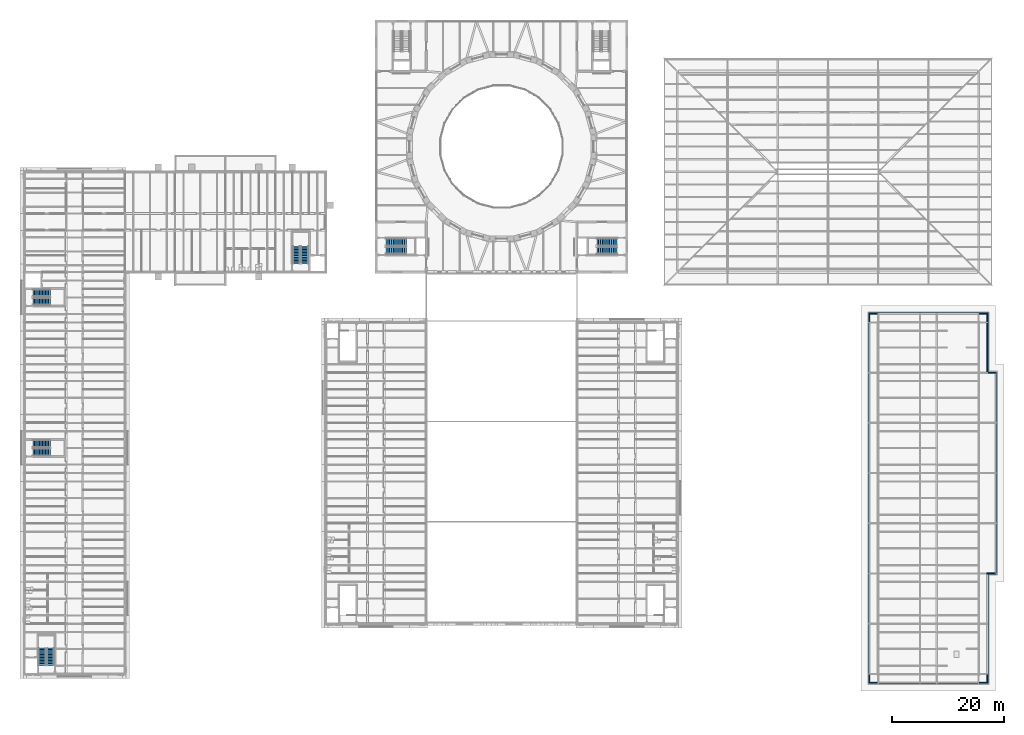
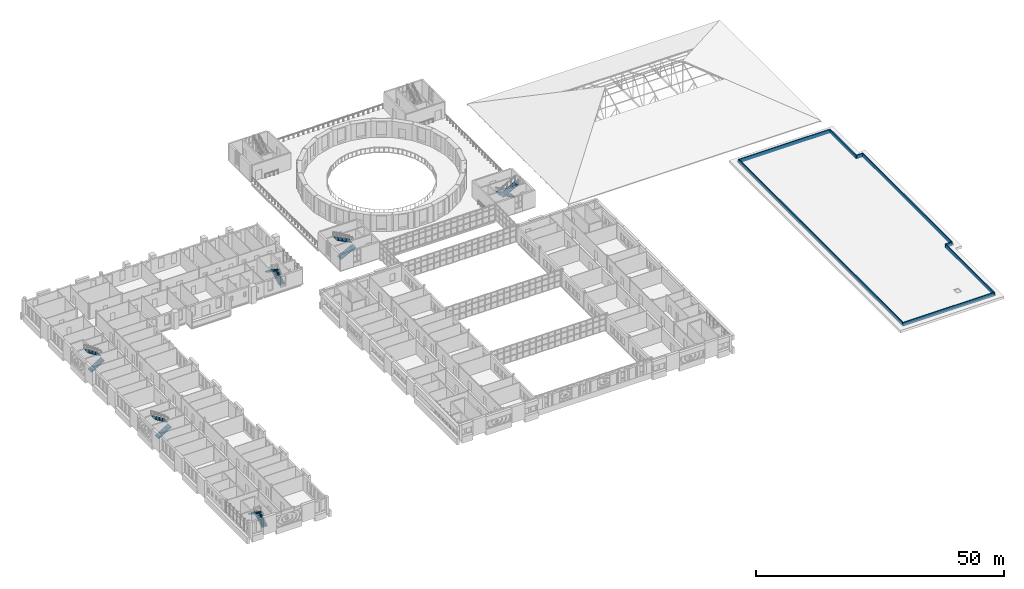
# One storey, part 117 of 154: 12 stair flights, 8 walls, 6 elements without a shape of their own.
"""IFC4 building model written with IfcOpenShell, lengths in metres."""

from ifc_helpers import new_model, si_unit, direction, frame, frame_2d, origin, place, context, subcontext, project, spatial, polyline, rectangle, outline, extrude, material, layer, layer_set, type_object, element, aggregate, save


model = new_model("IFC4")

# Units and contexts
model_context = context("Model", 3, precision=1e-05, world=origin(), true_north=direction((0.0, 1.0)))
body_context = subcontext(model_context, "Body", "Model", "MODEL_VIEW")
ifc_project = project(units=[si_unit("LENGTHUNIT", "METRE"), si_unit("AREAUNIT", "SQUARE_METRE"), si_unit("VOLUMEUNIT", "CUBIC_METRE"), si_unit("PLANEANGLEUNIT", "RADIAN"), si_unit("MASSUNIT", "GRAM", prefix="KILO")], contexts=[model_context])

# Site, building, storey
site_placement = place(None, origin())
site = spatial("IfcSite", under=ifc_project, at=site_placement, CompositionType="ELEMENT")
building_placement = place(site_placement, origin())
building = spatial("IfcBuilding", under=site, at=building_placement, Name="Golden Quay Civic Hall", CompositionType="ELEMENT")
storey_placement = place(building_placement, frame((0.0, 0.0, 14.39990234375)))
storey = spatial("IfcBuildingStorey", under=building, at=storey_placement, Name="L03", CompositionType="ELEMENT", Elevation=14.39990234375)

# Walls
ifc_material_1 = material(Name="Brick, dark clay facing", Category="masonry")
ifc_layer = layer(ifc_material_1, 0.199951171875)
ifc_layer_set = layer_set([ifc_layer], Name="Parapet 200 x 900")
wall_type = type_object("IfcWallType", Name="Parapet 200 x 900", PredefinedType="PARAPET", material=ifc_layer_set)
wall_1_placement = place(storey_placement, frame((172.5, -10.60009765625, 0.0), z_axis=(0.0, 0.0, 1.0), x_axis=(-1.0, 0.0, 0.0)))
element("IfcWall", 1, at=wall_1_placement, inside=storey, type_object=wall_type, Name="Parapet 200 x 900 L03 1", PredefinedType="PARAPET", context=body_context, shape_type="SweptSolid", body=[
    extrude(rectangle(XDim=21.199951171875, YDim=0.199951171875, at=frame_2d((10.60009765625, 0.0))), origin(), (0.0, 0.0, 1.0), 0.900146484375),
])
wall_2_placement = place(storey_placement, frame((151.39990234375, -10.5, 0.0), z_axis=(0.0, 0.0, 1.0), x_axis=(0.0, 1.0, 0.0)))
element("IfcWall", 2, at=wall_2_placement, inside=storey, type_object=wall_type, Name="Parapet 200 x 900 L03 2", PredefinedType="PARAPET", context=body_context, shape_type="SweptSolid", body=[
    extrude(rectangle(XDim=66.199951171875, YDim=0.199951171875, at=frame_2d((33.10009765625, 0.0))), origin(), (0.0, 0.0, 1.0), 0.900146484375),
])
wall_3_placement = place(storey_placement, frame((151.5, 55.60009765625, 0.0), z_axis=(0.0, 0.0, 1.0), x_axis=(1.0, 0.0, 0.0)))
element("IfcWall", 3, at=wall_3_placement, inside=storey, type_object=wall_type, Name="Parapet 200 x 900 L03 3", PredefinedType="PARAPET", context=body_context, shape_type="SweptSolid", body=[
    extrude(rectangle(XDim=21.199951171875, YDim=0.199951171875, at=frame_2d((10.60009765625, 0.0))), origin(), (0.0, 0.0, 1.0), 0.900146484375),
])
wall_4_placement = place(storey_placement, frame((172.60009765625, 55.5, 0.0), z_axis=(0.0, 0.0, 1.0), x_axis=(0.0, -1.0, 0.0)))
element("IfcWall", 4, at=wall_4_placement, inside=storey, type_object=wall_type, Name="Parapet 200 x 900 L03 4", PredefinedType="PARAPET", context=body_context, shape_type="SweptSolid", body=[
    extrude(rectangle(XDim=10.60009765625, YDim=0.199951171875, at=frame_2d((5.300048828125, 0.0))), origin(), (0.0, 0.0, 1.0), 0.900146484375),
])
wall_5_placement = place(storey_placement, frame((172.699951171875, 45.0, 0.0), z_axis=(0.0, 0.0, 1.0), x_axis=(1.0, 0.0, 0.0)))
element("IfcWall", 5, at=wall_5_placement, inside=storey, type_object=wall_type, Name="Parapet 200 x 900 L03 5", PredefinedType="PARAPET", context=body_context, shape_type="SweptSolid", body=[
    extrude(rectangle(XDim=1.5, YDim=0.199951171875, at=frame_2d((0.75, 0.0))), origin(), (0.0, 0.0, 1.0), 0.900146484375),
])
wall_6_placement = place(storey_placement, frame((174.10009765625, 44.89990234375, 0.0), z_axis=(0.0, 0.0, 1.0), x_axis=(0.0, -1.0, 0.0)))
element("IfcWall", 6, at=wall_6_placement, inside=storey, type_object=wall_type, Name="Parapet 200 x 900 L03 6", PredefinedType="PARAPET", context=body_context, shape_type="SweptSolid", body=[
    extrude(rectangle(XDim=36.0, YDim=0.199951171875, at=frame_2d((18.0, 0.0))), origin(), (0.0, 0.0, 1.0), 0.900146484375),
])
wall_7_placement = place(storey_placement, frame((174.0, 9.0, 0.0), z_axis=(0.0, 0.0, 1.0), x_axis=(-1.0, 0.0, 0.0)))
element("IfcWall", 7, at=wall_7_placement, inside=storey, type_object=wall_type, Name="Parapet 200 x 900 L03 7", PredefinedType="PARAPET", context=body_context, shape_type="SweptSolid", body=[
    extrude(rectangle(XDim=1.5, YDim=0.199951171875, at=frame_2d((0.75, 0.0))), origin(), (0.0, 0.0, 1.0), 0.900146484375),
])
wall_8_placement = place(storey_placement, frame((172.60009765625, 8.89990234375, 0.0), z_axis=(0.0, 0.0, 1.0), x_axis=(0.0, -1.0, 0.0)))
element("IfcWall", 8, at=wall_8_placement, inside=storey, type_object=wall_type, Name="Parapet 200 x 900 L03 8", PredefinedType="PARAPET", context=body_context, shape_type="SweptSolid", body=[
    extrude(rectangle(XDim=19.599853515625, YDim=0.199951171875, at=frame_2d((9.7998046875, 0.0))), origin(), (0.0, 0.0, 1.0), 0.900146484375),
])

# Stair, stair flights
ifc_material_2 = material(Name="Concrete C35/45", Category="concrete")
stair_type_1 = type_object("IfcStairType", Name="Concrete stair 1350 wide 24 risers of 175.0", PredefinedType="HALF_TURN_STAIR", material=ifc_material_2)
stair_1_placement = place(storey_placement, origin())
stair_1 = element("IfcStair", 9, at=stair_1_placement, inside=storey, type_object=stair_type_1, Name="L03 Stair WO-S", PredefinedType="HALF_TURN_STAIR")
ifc_material_3 = material(Name="Concrete C35/45", Category="concrete")
stair_flight_type_1 = type_object("IfcStairFlightType", Name="Concrete stair flight 1350 wide 12 risers of 175.0", PredefinedType="STRAIGHT", material=ifc_material_3)
stair_flight_1_placement = place(storey_placement, frame((4.675048828125, -7.449951171875, 0.0), z_axis=(0.0, 0.0, 1.0), x_axis=(0.0, 1.0, 0.0)))
stair_flight_1 = element("IfcStairFlight", 10, at=stair_flight_1_placement, type_object=stair_flight_type_1, Name="WO-S flight 1", NumberOfRisers=12, NumberOfTreads=11, PredefinedType="STRAIGHT", RiserHeight=0.175, TreadLength=0.28, context=body_context, shape_type="SweptSolid", body=[
    extrude(outline(polyline([(0.0, 0.0), (0.0, 0.175048828125), (0.280029296875, 0.175048828125), (0.280029296875, 0.35009765625), (0.56005859375, 0.35009765625), (0.56005859375, 0.52490234375), (0.840087890625, 0.52490234375), (0.840087890625, 0.699951171875), (1.1201171875, 0.699951171875), (1.1201171875, 0.875), (1.39990234375, 0.875), (1.39990234375, 1.050048828125), (1.679931640625, 1.050048828125), (1.679931640625, 1.22509765625), (1.9599609375, 1.22509765625), (1.9599609375, 1.39990234375), (2.239990234375, 1.39990234375), (2.239990234375, 1.574951171875), (2.52001953125, 1.574951171875), (2.52001953125, 1.75), (2.800048828125, 1.75), (2.800048828125, 1.925048828125), (3.080078125, 1.925048828125), (3.080078125, 2.10009765625), (3.080078125, 1.748291015625), (0.28271484375, 0.0), (0.0, 0.0)])), frame((0.0, 0.675048828125, 0.0), z_axis=(0.0, -1.0, 0.0), x_axis=(1.0, 0.0, 0.0)), (0.0, 0.0, 1.0), 1.35),
])
stair_flight_2_placement = place(storey_placement, frame((3.175048828125, -4.3701171875, 2.10009765625), z_axis=(0.0, 0.0, 1.0), x_axis=(0.0, -1.0, 0.0)))
stair_flight_2 = element("IfcStairFlight", 11, at=stair_flight_2_placement, type_object=stair_flight_type_1, Name="WO-S flight 2", NumberOfRisers=12, NumberOfTreads=11, PredefinedType="STRAIGHT", RiserHeight=0.175, TreadLength=0.28, context=body_context, shape_type="SweptSolid", body=[
    extrude(outline(polyline([(0.0, 0.0), (0.0, 0.175048828125), (0.280029296875, 0.175048828125), (0.280029296875, 0.35009765625), (0.56005859375, 0.35009765625), (0.56005859375, 0.52490234375), (0.840087890625, 0.52490234375), (0.840087890625, 0.699951171875), (1.1201171875, 0.699951171875), (1.1201171875, 0.875), (1.39990234375, 0.875), (1.39990234375, 1.050048828125), (1.679931640625, 1.050048828125), (1.679931640625, 1.22509765625), (1.9599609375, 1.22509765625), (1.9599609375, 1.39990234375), (2.239990234375, 1.39990234375), (2.239990234375, 1.574951171875), (2.52001953125, 1.574951171875), (2.52001953125, 1.75), (2.800048828125, 1.75), (2.800048828125, 1.925048828125), (3.080078125, 1.925048828125), (3.080078125, 2.10009765625), (3.080078125, 1.748291015625), (0.28271484375, 0.0), (0.0, 0.0)])), frame((0.0, 0.675048828125, 0.0), z_axis=(0.0, -1.0, 0.0), x_axis=(1.0, 0.0, 0.0)), (0.0, 0.0, 1.0), 1.35),
])
aggregate(stair_1, [stair_flight_1, stair_flight_2])

stair_2_placement = place(storey_placement, origin())
stair_2 = element("IfcStair", 12, at=stair_2_placement, inside=storey, type_object=stair_type_1, Name="L03 Stair WO-N", PredefinedType="HALF_TURN_STAIR")
stair_flight_3_placement = place(storey_placement, frame((1.550048828125, 57.75, 0.0), z_axis=(0.0, 0.0, 1.0), x_axis=(1.0, 0.0, 0.0)))
stair_flight_3 = element("IfcStairFlight", 13, at=stair_flight_3_placement, type_object=stair_flight_type_1, Name="WO-N flight 1", NumberOfRisers=12, NumberOfTreads=11, PredefinedType="STRAIGHT", RiserHeight=0.175, TreadLength=0.28, context=body_context, shape_type="SweptSolid", body=[
    extrude(outline(polyline([(0.0, 0.0), (0.0, 0.175048828125), (0.280029296875, 0.175048828125), (0.280029296875, 0.35009765625), (0.56005859375, 0.35009765625), (0.56005859375, 0.52490234375), (0.840087890625, 0.52490234375), (0.840087890625, 0.699951171875), (1.1201171875, 0.699951171875), (1.1201171875, 0.875), (1.39990234375, 0.875), (1.39990234375, 1.050048828125), (1.679931640625, 1.050048828125), (1.679931640625, 1.22509765625), (1.9599609375, 1.22509765625), (1.9599609375, 1.39990234375), (2.239990234375, 1.39990234375), (2.239990234375, 1.574951171875), (2.52001953125, 1.574951171875), (2.52001953125, 1.75), (2.800048828125, 1.75), (2.800048828125, 1.925048828125), (3.080078125, 1.925048828125), (3.080078125, 2.10009765625), (3.080078125, 1.748291015625), (0.28271484375, 0.0), (0.0, 0.0)])), frame((0.0, 0.675048828125, 0.0), z_axis=(0.0, -1.0, 0.0), x_axis=(1.0, 0.0, 0.0)), (0.0, 0.0, 1.0), 1.35),
])
stair_flight_4_placement = place(storey_placement, frame((4.6298828125, 59.25, 2.10009765625), z_axis=(0.0, 0.0, 1.0), x_axis=(-1.0, 0.0, 0.0)))
stair_flight_4 = element("IfcStairFlight", 14, at=stair_flight_4_placement, type_object=stair_flight_type_1, Name="WO-N flight 2", NumberOfRisers=12, NumberOfTreads=11, PredefinedType="STRAIGHT", RiserHeight=0.175, TreadLength=0.28, context=body_context, shape_type="SweptSolid", body=[
    extrude(outline(polyline([(0.0, 0.0), (0.0, 0.175048828125), (0.280029296875, 0.175048828125), (0.280029296875, 0.35009765625), (0.56005859375, 0.35009765625), (0.56005859375, 0.52490234375), (0.840087890625, 0.52490234375), (0.840087890625, 0.699951171875), (1.1201171875, 0.699951171875), (1.1201171875, 0.875), (1.39990234375, 0.875), (1.39990234375, 1.050048828125), (1.679931640625, 1.050048828125), (1.679931640625, 1.22509765625), (1.9599609375, 1.22509765625), (1.9599609375, 1.39990234375), (2.239990234375, 1.39990234375), (2.239990234375, 1.574951171875), (2.52001953125, 1.574951171875), (2.52001953125, 1.75), (2.800048828125, 1.75), (2.800048828125, 1.925048828125), (3.080078125, 1.925048828125), (3.080078125, 2.10009765625), (3.080078125, 1.748291015625), (0.28271484375, 0.0), (0.0, 0.0)])), frame((0.0, 0.675048828125, 0.0), z_axis=(0.0, -1.0, 0.0), x_axis=(1.0, 0.0, 0.0)), (0.0, 0.0, 1.0), 1.35),
])
aggregate(stair_2, [stair_flight_3, stair_flight_4])

stair_3_placement = place(storey_placement, origin())
stair_3 = element("IfcStair", 15, at=stair_3_placement, inside=storey, type_object=stair_type_1, Name="L03 Stair WO-M", PredefinedType="HALF_TURN_STAIR")
stair_flight_5_placement = place(storey_placement, frame((1.550048828125, 30.75, 0.0), z_axis=(0.0, 0.0, 1.0), x_axis=(1.0, 0.0, 0.0)))
stair_flight_5 = element("IfcStairFlight", 16, at=stair_flight_5_placement, type_object=stair_flight_type_1, Name="WO-M flight 1", NumberOfRisers=12, NumberOfTreads=11, PredefinedType="STRAIGHT", RiserHeight=0.175, TreadLength=0.28, context=body_context, shape_type="SweptSolid", body=[
    extrude(outline(polyline([(0.0, 0.0), (0.0, 0.175048828125), (0.280029296875, 0.175048828125), (0.280029296875, 0.35009765625), (0.56005859375, 0.35009765625), (0.56005859375, 0.52490234375), (0.840087890625, 0.52490234375), (0.840087890625, 0.699951171875), (1.1201171875, 0.699951171875), (1.1201171875, 0.875), (1.39990234375, 0.875), (1.39990234375, 1.050048828125), (1.679931640625, 1.050048828125), (1.679931640625, 1.22509765625), (1.9599609375, 1.22509765625), (1.9599609375, 1.39990234375), (2.239990234375, 1.39990234375), (2.239990234375, 1.574951171875), (2.52001953125, 1.574951171875), (2.52001953125, 1.75), (2.800048828125, 1.75), (2.800048828125, 1.925048828125), (3.080078125, 1.925048828125), (3.080078125, 2.10009765625), (3.080078125, 1.748291015625), (0.28271484375, 0.0), (0.0, 0.0)])), frame((0.0, 0.675048828125, 0.0), z_axis=(0.0, -1.0, 0.0), x_axis=(1.0, 0.0, 0.0)), (0.0, 0.0, 1.0), 1.35),
])
stair_flight_6_placement = place(storey_placement, frame((4.6298828125, 32.25, 2.10009765625), z_axis=(0.0, 0.0, 1.0), x_axis=(-1.0, 0.0, 0.0)))
stair_flight_6 = element("IfcStairFlight", 17, at=stair_flight_6_placement, type_object=stair_flight_type_1, Name="WO-M flight 2", NumberOfRisers=12, NumberOfTreads=11, PredefinedType="STRAIGHT", RiserHeight=0.175, TreadLength=0.28, context=body_context, shape_type="SweptSolid", body=[
    extrude(outline(polyline([(0.0, 0.0), (0.0, 0.175048828125), (0.280029296875, 0.175048828125), (0.280029296875, 0.35009765625), (0.56005859375, 0.35009765625), (0.56005859375, 0.52490234375), (0.840087890625, 0.52490234375), (0.840087890625, 0.699951171875), (1.1201171875, 0.699951171875), (1.1201171875, 0.875), (1.39990234375, 0.875), (1.39990234375, 1.050048828125), (1.679931640625, 1.050048828125), (1.679931640625, 1.22509765625), (1.9599609375, 1.22509765625), (1.9599609375, 1.39990234375), (2.239990234375, 1.39990234375), (2.239990234375, 1.574951171875), (2.52001953125, 1.574951171875), (2.52001953125, 1.75), (2.800048828125, 1.75), (2.800048828125, 1.925048828125), (3.080078125, 1.925048828125), (3.080078125, 2.10009765625), (3.080078125, 1.748291015625), (0.28271484375, 0.0), (0.0, 0.0)])), frame((0.0, 0.675048828125, 0.0), z_axis=(0.0, -1.0, 0.0), x_axis=(1.0, 0.0, 0.0)), (0.0, 0.0, 1.0), 1.35),
])
aggregate(stair_3, [stair_flight_5, stair_flight_6])

stair_4_placement = place(storey_placement, origin())
stair_4 = element("IfcStair", 18, at=stair_4_placement, inside=storey, type_object=stair_type_1, Name="L03 Stair NW-E", PredefinedType="HALF_TURN_STAIR")
stair_flight_7_placement = place(storey_placement, frame((50.25, 64.550048828125, 0.0), z_axis=(0.0, 0.0, 1.0), x_axis=(0.0, 1.0, 0.0)))
stair_flight_7 = element("IfcStairFlight", 19, at=stair_flight_7_placement, type_object=stair_flight_type_1, Name="NW-E flight 1", NumberOfRisers=12, NumberOfTreads=11, PredefinedType="STRAIGHT", RiserHeight=0.175, TreadLength=0.28, context=body_context, shape_type="SweptSolid", body=[
    extrude(outline(polyline([(0.0, 0.0), (0.0, 0.175048828125), (0.280029296875, 0.175048828125), (0.280029296875, 0.35009765625), (0.56005859375, 0.35009765625), (0.56005859375, 0.52490234375), (0.840087890625, 0.52490234375), (0.840087890625, 0.699951171875), (1.1201171875, 0.699951171875), (1.1201171875, 0.875), (1.39990234375, 0.875), (1.39990234375, 1.050048828125), (1.679931640625, 1.050048828125), (1.679931640625, 1.22509765625), (1.9599609375, 1.22509765625), (1.9599609375, 1.39990234375), (2.239990234375, 1.39990234375), (2.239990234375, 1.574951171875), (2.52001953125, 1.574951171875), (2.52001953125, 1.75), (2.800048828125, 1.75), (2.800048828125, 1.925048828125), (3.080078125, 1.925048828125), (3.080078125, 2.10009765625), (3.080078125, 1.748291015625), (0.28271484375, 0.0), (0.0, 0.0)])), frame((0.0, 0.675048828125, 0.0), z_axis=(0.0, -1.0, 0.0), x_axis=(1.0, 0.0, 0.0)), (0.0, 0.0, 1.0), 1.35),
])
stair_flight_8_placement = place(storey_placement, frame((48.75, 67.6298828125, 2.10009765625), z_axis=(0.0, 0.0, 1.0), x_axis=(0.0, -1.0, 0.0)))
stair_flight_8 = element("IfcStairFlight", 20, at=stair_flight_8_placement, type_object=stair_flight_type_1, Name="NW-E flight 2", NumberOfRisers=12, NumberOfTreads=11, PredefinedType="STRAIGHT", RiserHeight=0.175, TreadLength=0.28, context=body_context, shape_type="SweptSolid", body=[
    extrude(outline(polyline([(0.0, 0.0), (0.0, 0.175048828125), (0.280029296875, 0.175048828125), (0.280029296875, 0.35009765625), (0.56005859375, 0.35009765625), (0.56005859375, 0.52490234375), (0.840087890625, 0.52490234375), (0.840087890625, 0.699951171875), (1.1201171875, 0.699951171875), (1.1201171875, 0.875), (1.39990234375, 0.875), (1.39990234375, 1.050048828125), (1.679931640625, 1.050048828125), (1.679931640625, 1.22509765625), (1.9599609375, 1.22509765625), (1.9599609375, 1.39990234375), (2.239990234375, 1.39990234375), (2.239990234375, 1.574951171875), (2.52001953125, 1.574951171875), (2.52001953125, 1.75), (2.800048828125, 1.75), (2.800048828125, 1.925048828125), (3.080078125, 1.925048828125), (3.080078125, 2.10009765625), (3.080078125, 1.748291015625), (0.28271484375, 0.0), (0.0, 0.0)])), frame((0.0, 0.675048828125, 0.0), z_axis=(0.0, -1.0, 0.0), x_axis=(1.0, 0.0, 0.0)), (0.0, 0.0, 1.0), 1.35),
])
aggregate(stair_4, [stair_flight_7, stair_flight_8])

ifc_material_4 = material(Name="Concrete C35/45", Category="concrete")
stair_type_2 = type_object("IfcStairType", Name="Reinforced concrete stair 1350", PredefinedType="HALF_TURN_STAIR", material=ifc_material_4)
stair_5_placement = place(storey_placement, origin())
stair_5 = element("IfcStair", 21, at=stair_5_placement, inside=storey, type_object=stair_type_2, Name="L03 Core stair SW", PredefinedType="HALF_TURN_STAIR")
ifc_material_5 = material(Name="Concrete C35/45", Category="concrete")
stair_flight_type_2 = type_object("IfcStairFlightType", Name="Reinforced concrete stair flight 1350", PredefinedType="STRAIGHT", material=ifc_material_5)
stair_flight_9_placement = place(storey_placement, frame((64.800048828125, 66.875, 0.0), z_axis=(0.0, 0.0, 1.0), x_axis=(1.0, 0.0, 0.0)))
stair_flight_9 = element("IfcStairFlight", 22, at=stair_flight_9_placement, type_object=stair_flight_type_2, Name="CB-SW flight 1", NumberOfRisers=12, NumberOfTreads=11, PredefinedType="STRAIGHT", RiserHeight=0.175, TreadLength=0.33, context=body_context, shape_type="SweptSolid", body=[
    extrude(outline(polyline([(0.0, 0.0), (0.0, 0.175048828125), (0.330078125, 0.175048828125), (0.330078125, 0.35009765625), (0.659912109375, 0.35009765625), (0.659912109375, 0.52490234375), (0.989990234375, 0.52490234375), (0.989990234375, 0.699951171875), (1.320068359375, 0.699951171875), (1.320068359375, 0.875), (1.64990234375, 0.875), (1.64990234375, 1.050048828125), (1.97998046875, 1.050048828125), (1.97998046875, 1.22509765625), (2.31005859375, 1.22509765625), (2.31005859375, 1.39990234375), (2.639892578125, 1.39990234375), (2.639892578125, 1.574951171875), (2.969970703125, 1.574951171875), (2.969970703125, 1.75), (3.300048828125, 1.75), (3.300048828125, 1.925048828125), (3.6298828125, 1.925048828125), (3.6298828125, 2.10009765625), (3.6298828125, 1.75537109375), (0.320068359375, 0.0), (0.0, 0.0)])), frame((0.0, 0.675048828125, 0.0), z_axis=(0.0, -1.0, 0.0), x_axis=(1.0, 0.0, 0.0)), (0.0, 0.0, 1.0), 1.35),
])
stair_flight_10_placement = place(storey_placement, frame((68.429931640625, 68.375, 2.10009765625), z_axis=(0.0, 0.0, 1.0), x_axis=(-1.0, 0.0, 0.0)))
stair_flight_10 = element("IfcStairFlight", 23, at=stair_flight_10_placement, type_object=stair_flight_type_2, Name="CB-SW flight 2", NumberOfRisers=12, NumberOfTreads=11, PredefinedType="STRAIGHT", RiserHeight=0.175, TreadLength=0.33, context=body_context, shape_type="SweptSolid", body=[
    extrude(outline(polyline([(0.0, 0.0), (0.0, 0.175048828125), (0.330078125, 0.175048828125), (0.330078125, 0.35009765625), (0.659912109375, 0.35009765625), (0.659912109375, 0.52490234375), (0.989990234375, 0.52490234375), (0.989990234375, 0.699951171875), (1.320068359375, 0.699951171875), (1.320068359375, 0.875), (1.64990234375, 0.875), (1.64990234375, 1.050048828125), (1.97998046875, 1.050048828125), (1.97998046875, 1.22509765625), (2.31005859375, 1.22509765625), (2.31005859375, 1.39990234375), (2.639892578125, 1.39990234375), (2.639892578125, 1.574951171875), (2.969970703125, 1.574951171875), (2.969970703125, 1.75), (3.300048828125, 1.75), (3.300048828125, 1.925048828125), (3.6298828125, 1.925048828125), (3.6298828125, 2.10009765625), (3.6298828125, 1.75537109375), (0.320068359375, 0.0), (0.0, 0.0)])), frame((0.0, 0.675048828125, 0.0), z_axis=(0.0, -1.0, 0.0), x_axis=(1.0, 0.0, 0.0)), (0.0, 0.0, 1.0), 1.35),
])
aggregate(stair_5, [stair_flight_9, stair_flight_10])

stair_6_placement = place(storey_placement, origin())
stair_6 = element("IfcStair", 24, at=stair_6_placement, inside=storey, type_object=stair_type_2, Name="L03 Core stair SE", PredefinedType="HALF_TURN_STAIR")
stair_flight_11_placement = place(storey_placement, frame((106.199951171875, 68.375, 0.0), z_axis=(0.0, 0.0, 1.0), x_axis=(-1.0, 0.0, 0.0)))
stair_flight_11 = element("IfcStairFlight", 25, at=stair_flight_11_placement, type_object=stair_flight_type_2, Name="CB-SE flight 1", NumberOfRisers=12, NumberOfTreads=11, PredefinedType="STRAIGHT", RiserHeight=0.175, TreadLength=0.33, context=body_context, shape_type="SweptSolid", body=[
    extrude(outline(polyline([(0.0, 0.0), (0.0, 0.175048828125), (0.330078125, 0.175048828125), (0.330078125, 0.35009765625), (0.659912109375, 0.35009765625), (0.659912109375, 0.52490234375), (0.989990234375, 0.52490234375), (0.989990234375, 0.699951171875), (1.320068359375, 0.699951171875), (1.320068359375, 0.875), (1.64990234375, 0.875), (1.64990234375, 1.050048828125), (1.97998046875, 1.050048828125), (1.97998046875, 1.22509765625), (2.31005859375, 1.22509765625), (2.31005859375, 1.39990234375), (2.639892578125, 1.39990234375), (2.639892578125, 1.574951171875), (2.969970703125, 1.574951171875), (2.969970703125, 1.75), (3.300048828125, 1.75), (3.300048828125, 1.925048828125), (3.6298828125, 1.925048828125), (3.6298828125, 2.10009765625), (3.6298828125, 1.75537109375), (0.320068359375, 0.0), (0.0, 0.0)])), frame((0.0, 0.675048828125, 0.0), z_axis=(0.0, -1.0, 0.0), x_axis=(1.0, 0.0, 0.0)), (0.0, 0.0, 1.0), 1.35),
])
stair_flight_12_placement = place(storey_placement, frame((102.570068359375, 66.875, 2.10009765625), z_axis=(0.0, 0.0, 1.0), x_axis=(1.0, 0.0, 0.0)))
stair_flight_12 = element("IfcStairFlight", 26, at=stair_flight_12_placement, type_object=stair_flight_type_2, Name="CB-SE flight 2", NumberOfRisers=12, NumberOfTreads=11, PredefinedType="STRAIGHT", RiserHeight=0.175, TreadLength=0.33, context=body_context, shape_type="SweptSolid", body=[
    extrude(outline(polyline([(0.0, 0.0), (0.0, 0.175048828125), (0.330078125, 0.175048828125), (0.330078125, 0.35009765625), (0.659912109375, 0.35009765625), (0.659912109375, 0.52490234375), (0.989990234375, 0.52490234375), (0.989990234375, 0.699951171875), (1.320068359375, 0.699951171875), (1.320068359375, 0.875), (1.64990234375, 0.875), (1.64990234375, 1.050048828125), (1.97998046875, 1.050048828125), (1.97998046875, 1.22509765625), (2.31005859375, 1.22509765625), (2.31005859375, 1.39990234375), (2.639892578125, 1.39990234375), (2.639892578125, 1.574951171875), (2.969970703125, 1.574951171875), (2.969970703125, 1.75), (3.300048828125, 1.75), (3.300048828125, 1.925048828125), (3.6298828125, 1.925048828125), (3.6298828125, 2.10009765625), (3.6298828125, 1.75537109375), (0.320068359375, 0.0), (0.0, 0.0)])), frame((0.0, 0.675048828125, 0.0), z_axis=(0.0, -1.0, 0.0), x_axis=(1.0, 0.0, 0.0)), (0.0, 0.0, 1.0), 1.35),
])
aggregate(stair_6, [stair_flight_11, stair_flight_12])

save(model, "model.ifc")
